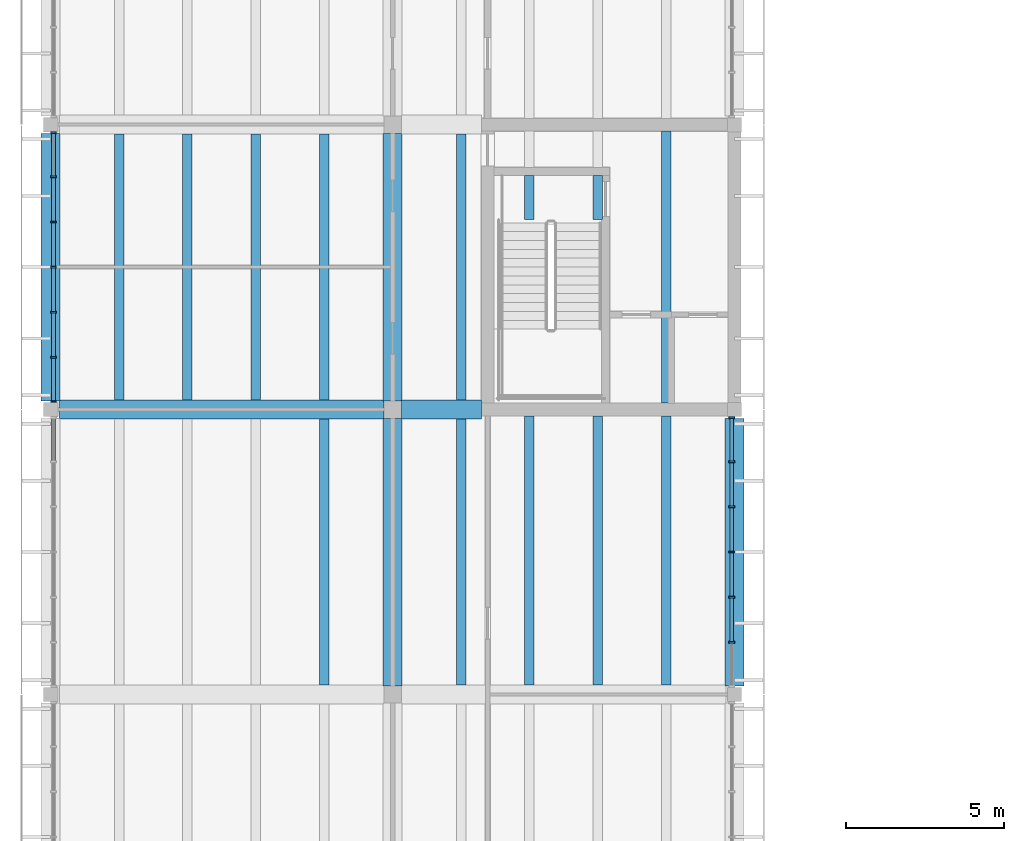
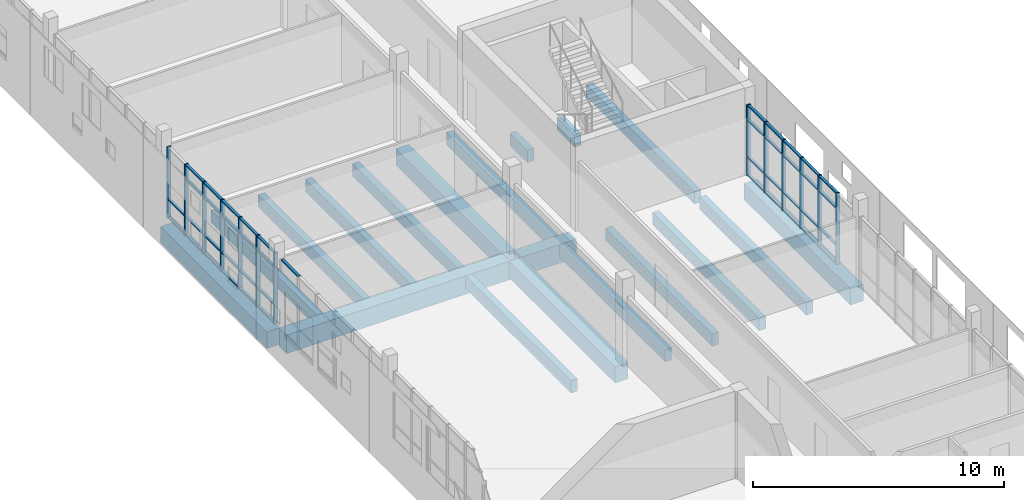
# One storey, part 11 of 50: 56 members, 19 beams, 3 elements without a shape of their own.
"""IFC4 building model written with IfcOpenShell, lengths in metres."""

import ifcopenshell
import ifcopenshell.guid

model = None  # the IFC model being written
_history = None  # IfcOwnerHistory: only IFC2X3 demands one
_inside = {}  # id of a spatial element -> (the spatial element, [elements in it])
_under = {}  # id of a project, library or spatial element -> (it, [spatial elements below it])
_declared = {}  # id of a project -> (the project, [libraries it declares])
_typed = {}  # id of a type object -> (the type object, [elements of that type])
_made_of = {}  # id of a material, layer set ... -> (it, [elements and type objects made of it])


def new_model(schema):
    """Start an empty IFC model of exactly this schema.

    Asked for "IFC4X3", IfcOpenShell would pick the latest addendum, in which some entities
    have other attributes; the version numbers below select the first issue.
    IFC2X3 requires an IfcOwnerHistory on every rooted entity: one is made here for all.
    """
    global model, _history
    if schema == "IFC4X3":
        model = ifcopenshell.file(schema_version=(4, 3, 0, 0))
    else:
        model = ifcopenshell.file(schema=schema)
    _inside.clear()
    _under.clear()
    _declared.clear()
    _typed.clear()
    _made_of.clear()
    _history = None
    if model.schema == "IFC2X3":
        org = make("IfcOrganization", Name="unknown")
        user = make(
            "IfcPersonAndOrganization",
            ThePerson=make("IfcPerson", FamilyName="unknown"),
            TheOrganization=org,
        )
        app = make(
            "IfcApplication",
            ApplicationDeveloper=org,
            Version="unknown",
            ApplicationFullName="unknown",
            ApplicationIdentifier="unknown",
        )
        _history = make(
            "IfcOwnerHistory",
            OwningUser=user,
            OwningApplication=app,
            ChangeAction="ADDED",
            CreationDate=0,
        )
    return model


def make(cls, **values):
    """One entity of the class cls with the attributes given. An attribute that is None is left unset."""
    return model.create_entity(
        cls, **{name: value for name, value in values.items() if value is not None}
    )


def rooted(cls, **values):
    """An entity with a GlobalId (a new one), such as an element, a storey or a relation."""
    return make(cls, GlobalId=ifcopenshell.guid.new(), OwnerHistory=_history, **values)


def si_unit(unit_type, name, prefix=None):
    """IfcSIUnit, for example si_unit("LENGTHUNIT", "METRE", prefix="MILLI")."""
    return make("IfcSIUnit", UnitType=unit_type, Prefix=prefix, Name=name)


def assignment(units):
    """IfcUnitAssignment: the units of a project."""
    return None if units is None else make("IfcUnitAssignment", Units=units)


def point(xyz):
    """IfcCartesianPoint."""
    return None if xyz is None else make("IfcCartesianPoint", Coordinates=xyz)


def direction(xyz):
    """IfcDirection."""
    return None if xyz is None else make("IfcDirection", DirectionRatios=xyz)


def frame(location, z_axis=None, x_axis=None):
    """IfcAxis2Placement3D, a coordinate frame: its origin and axes. An axis left out is left unset."""
    return make(
        "IfcAxis2Placement3D",
        Location=point(location),
        Axis=direction(z_axis),
        RefDirection=direction(x_axis),
    )


def frame_2d(location, x_axis=None):
    """IfcAxis2Placement2D, a coordinate frame in the plane: its origin and x axis."""
    return make(
        "IfcAxis2Placement2D", Location=point(location), RefDirection=direction(x_axis)
    )


def origin():
    """The frame at (0, 0, 0) with its axes left unset."""
    return frame((0.0, 0.0, 0.0))


def origin_2d():
    """The frame at (0, 0) in the plane with its x axis left unset."""
    return frame_2d((0.0, 0.0))


def place(relative_to, where):
    """IfcLocalPlacement: puts the frame where relative to a parent placement (None: the world)."""
    return make(
        "IfcLocalPlacement", PlacementRelTo=relative_to, RelativePlacement=where
    )


def context(
    kind, dimensions, precision=None, world=None, true_north=None, identifier=None
):
    """IfcGeometricRepresentationContext, for example the 3D "Model" context."""
    return make(
        "IfcGeometricRepresentationContext",
        ContextIdentifier=identifier,
        ContextType=kind,
        CoordinateSpaceDimension=dimensions,
        Precision=precision,
        WorldCoordinateSystem=world,
        TrueNorth=true_north,
    )


def subcontext(parent, identifier, kind, view, scale=None):
    """IfcGeometricRepresentationSubContext, for example "Body" below "Model"."""
    return make(
        "IfcGeometricRepresentationSubContext",
        ContextIdentifier=identifier,
        ContextType=kind,
        ParentContext=parent,
        TargetScale=scale,
        TargetView=view,
    )


def project(units=None, contexts=None):
    """IfcProject with its units and contexts."""
    return rooted(
        "IfcProject",
        Name="project",
        RepresentationContexts=contexts,
        UnitsInContext=assignment(units),
    )


def spatial(cls, under=None, at=None, **own):
    """A site, building, storey or space (cls), placed at a placement, below another one or the project."""
    s = rooted(cls, ObjectPlacement=at, **own)
    if under is not None:
        _under.setdefault(under.id(), (under, []))[1].append(s)
    return s


def profile(cls, at=None, kind="AREA", **sizes):
    """A parametric profile (cls). Its sizes go by their IFC names, for example OverallWidth=200.0."""
    return make(cls, ProfileType=kind, Position=at, **sizes)


def rectangle(**sizes):
    """IfcRectangleProfileDef."""
    return profile("IfcRectangleProfileDef", **sizes)


def extrude(swept, where, along, depth):
    """IfcExtrudedAreaSolid: the profile swept, set in the frame where, extruded along a direction by depth."""
    return make(
        "IfcExtrudedAreaSolid",
        SweptArea=swept,
        Position=where,
        ExtrudedDirection=direction(along),
        Depth=depth,
    )


def shape(context_of_items, identifier, shape_type, items):
    """IfcShapeRepresentation: the items that make up one representation, for example the "Body"."""
    return make(
        "IfcShapeRepresentation",
        ContextOfItems=context_of_items,
        RepresentationIdentifier=identifier,
        RepresentationType=shape_type,
        Items=items,
    )


def material(Name=None, Category=None):
    """IfcMaterial."""
    return make("IfcMaterial", Name=Name, Category=Category)


def material_profile(
    of_material, cross_section, Name=None, Category=None, Priority=None
):
    """IfcMaterialProfile: a cross section and its material."""
    return make(
        "IfcMaterialProfile",
        Name=Name,
        Material=of_material,
        Profile=cross_section,
        Priority=Priority,
        Category=Category,
    )


def profile_set(profiles, Name=None, composite=None):
    """IfcMaterialProfileSet."""
    return make(
        "IfcMaterialProfileSet",
        Name=Name,
        MaterialProfiles=profiles,
        CompositeProfile=composite,
    )


def made_of(thing, what):
    """Note that an element or type object is made of a material, layer set ...; save() writes the relation."""
    if what is not None:
        _made_of.setdefault(what.id(), (what, []))[1].append(thing)
    return thing


def type_object(cls, material=None, **own):
    """A type object (cls), such as IfcWallType, which elements share."""
    return made_of(rooted(cls, **own), material)


def element(
    cls,
    number,
    at=None,
    inside=None,
    cuts=None,
    type_object=None,
    material=None,
    context=None,
    identifier="Body",
    shape_type=None,
    held_by="IfcProductDefinitionShape",
    body=None,
    shapes=None,
    **own,
):
    """One element of the class cls, such as IfcWall. Its Tag is "e" and its number.

    at: its placement. inside: the storey or other place that contains it. cuts: it is an
    opening in that element (IfcRelVoidsElement). A single representation is given by context,
    identifier, shape_type and body (its items); several are given by shapes. held_by: the class
    of the entity that holds the representations. save() writes the other relations.
    """
    e = rooted(cls, Tag="e%d" % number, ObjectPlacement=at, **own)
    if body is not None:
        shapes = [shape(context, identifier, shape_type, body)]
    if shapes is not None:
        e.Representation = make(held_by, Representations=shapes)
    if inside is not None:
        _inside.setdefault(inside.id(), (inside, []))[1].append(e)
    if cuts is not None:
        rooted(
            "IfcRelVoidsElement", RelatingBuildingElement=cuts, RelatedOpeningElement=e
        )
    if type_object is not None:
        _typed.setdefault(type_object.id(), (type_object, []))[1].append(e)
    return made_of(e, material)


def aggregate(whole, parts):
    """IfcRelAggregates: a whole, such as a stair, and the parts it consists of."""
    return rooted("IfcRelAggregates", RelatingObject=whole, RelatedObjects=parts)


def save(model, path):
    """Write the relations noted so far, then the file.

    IfcRelAggregates (storeys below a building ...), IfcRelContainedInSpatialStructure (elements
    in a storey), IfcRelDefinesByType, IfcRelAssociatesMaterial and IfcRelDeclares: one each for
    every whole, place, type object, material and project.
    """
    for whole, parts in _under.values():
        aggregate(whole, parts)
    for where, things in _inside.values():
        rooted(
            "IfcRelContainedInSpatialStructure",
            RelatedElements=things,
            RelatingStructure=where,
        )
    for kind, things in _typed.values():
        rooted("IfcRelDefinesByType", RelatedObjects=things, RelatingType=kind)
    for what, things in _made_of.values():
        rooted("IfcRelAssociatesMaterial", RelatedObjects=things, RelatingMaterial=what)
    for by, libraries in _declared.values():
        rooted("IfcRelDeclares", RelatingContext=by, RelatedDefinitions=libraries)
    model.write(path)


model = new_model("IFC4")

# Units and contexts
model_context = context("Model", 3, precision=1e-05, world=origin(), true_north=direction((0.0, 1.0)))
body_context = subcontext(model_context, "Body", "Model", "MODEL_VIEW")
ifc_project = project(units=[si_unit("LENGTHUNIT", "METRE"), si_unit("AREAUNIT", "SQUARE_METRE"), si_unit("VOLUMEUNIT", "CUBIC_METRE"), si_unit("PLANEANGLEUNIT", "RADIAN"), si_unit("MASSUNIT", "GRAM", prefix="KILO")], contexts=[model_context])

# Site, building, storey
site_placement = place(None, origin())
site = spatial("IfcSite", under=ifc_project, at=site_placement, CompositionType="ELEMENT")
building_placement = place(site_placement, origin())
building = spatial("IfcBuilding", under=site, at=building_placement, Name="Merrow Basin Faculty of Sciences", CompositionType="ELEMENT")
storey_placement = place(building_placement, frame((0.0, 0.0, 18.0)))
storey = spatial("IfcBuildingStorey", under=building, at=storey_placement, Name="L04", CompositionType="ELEMENT", Elevation=18.0)

# Curtain wall, members
ifc_material_1 = material(Name="Aluminium alloy 6063", Category="aluminium")
curtain_wall_type = type_object("IfcCurtainWallType", Name="Bar unitised curtain wall 180", PredefinedType="NOTDEFINED", material=ifc_material_1)
curtain_wall_1_placement = place(storey_placement, origin())
curtain_wall_1 = element("IfcCurtainWall", 1, at=curtain_wall_1_placement, inside=storey, type_object=curtain_wall_type, Name="West curtain wall L04 3", PredefinedType="NOTDEFINED")
ifc_material_2 = material(Name="Aluminium alloy 6063", Category="aluminium")
ifc_material_profile_1 = material_profile(ifc_material_2, rectangle(XDim=0.179931640625, YDim=0.06005859375, at=origin_2d()))
ifc_profile_set_1 = profile_set([ifc_material_profile_1], Name="Aluminium alloy 6063")
member_type_1 = type_object("IfcMemberType", Name="Aluminium mullion 60x180", PredefinedType="MULLION", material=ifc_profile_set_1)
member_1_placement = place(storey_placement, frame((0.090087890625, 88.2548828125, 0.0), z_axis=(0.0, 0.0, 1.0), x_axis=(-1.0, 0.0, 0.0)))
member_1 = element("IfcMember", 2, at=member_1_placement, type_object=member_type_1, Name="CW1 mullion 1", PredefinedType="MULLION", context=body_context, shape_type="SweptSolid", body=[
    extrude(rectangle(XDim=0.179931640625, YDim=0.06005859375, at=origin_2d()), origin(), (0.0, 0.0, 1.0), 3.449951171875),
])
member_2_placement = place(storey_placement, frame((0.090087890625, 89.64990234375, 0.0), z_axis=(0.0, 0.0, 1.0), x_axis=(-1.0, 0.0, 0.0)))
member_2 = element("IfcMember", 3, at=member_2_placement, type_object=member_type_1, Name="CW1 mullion 2", PredefinedType="MULLION", context=body_context, shape_type="SweptSolid", body=[
    extrude(rectangle(XDim=0.179931640625, YDim=0.06005859375, at=origin_2d()), origin(), (0.0, 0.0, 1.0), 3.449951171875),
])
member_3_placement = place(storey_placement, frame((0.090087890625, 91.074951171875, 0.0), z_axis=(0.0, 0.0, 1.0), x_axis=(-1.0, 0.0, 0.0)))
member_3 = element("IfcMember", 4, at=member_3_placement, type_object=member_type_1, Name="CW1 mullion 3", PredefinedType="MULLION", context=body_context, shape_type="SweptSolid", body=[
    extrude(rectangle(XDim=0.179931640625, YDim=0.06005859375, at=origin_2d()), origin(), (0.0, 0.0, 1.0), 3.449951171875),
])
member_4_placement = place(storey_placement, frame((0.090087890625, 92.5, 0.0), z_axis=(0.0, 0.0, 1.0), x_axis=(-1.0, 0.0, 0.0)))
member_4 = element("IfcMember", 5, at=member_4_placement, type_object=member_type_1, Name="CW1 mullion 4", PredefinedType="MULLION", context=body_context, shape_type="SweptSolid", body=[
    extrude(rectangle(XDim=0.179931640625, YDim=0.06005859375, at=origin_2d()), origin(), (0.0, 0.0, 1.0), 3.449951171875),
])
member_5_placement = place(storey_placement, frame((0.090087890625, 93.925048828125, 0.0), z_axis=(0.0, 0.0, 1.0), x_axis=(-1.0, 0.0, 0.0)))
member_5 = element("IfcMember", 6, at=member_5_placement, type_object=member_type_1, Name="CW1 mullion 5", PredefinedType="MULLION", context=body_context, shape_type="SweptSolid", body=[
    extrude(rectangle(XDim=0.179931640625, YDim=0.06005859375, at=origin_2d()), origin(), (0.0, 0.0, 1.0), 3.449951171875),
])
member_6_placement = place(storey_placement, frame((0.090087890625, 95.35009765625, 0.0), z_axis=(0.0, 0.0, 1.0), x_axis=(-1.0, 0.0, 0.0)))
member_6 = element("IfcMember", 7, at=member_6_placement, type_object=member_type_1, Name="CW1 mullion 6", PredefinedType="MULLION", context=body_context, shape_type="SweptSolid", body=[
    extrude(rectangle(XDim=0.179931640625, YDim=0.06005859375, at=origin_2d()), origin(), (0.0, 0.0, 1.0), 3.449951171875),
])
member_7_placement = place(storey_placement, frame((0.090087890625, 96.7451171875, 0.0), z_axis=(0.0, 0.0, 1.0), x_axis=(-1.0, 0.0, 0.0)))
member_7 = element("IfcMember", 8, at=member_7_placement, type_object=member_type_1, Name="CW1 mullion 7", PredefinedType="MULLION", context=body_context, shape_type="SweptSolid", body=[
    extrude(rectangle(XDim=0.179931640625, YDim=0.06005859375, at=origin_2d()), origin(), (0.0, 0.0, 1.0), 3.449951171875),
])

curtain_wall_2_placement = place(storey_placement, origin())
curtain_wall_2 = element("IfcCurtainWall", 9, at=curtain_wall_2_placement, inside=storey, type_object=curtain_wall_type, Name="East curtain wall L04 3", PredefinedType="NOTDEFINED")
member_8_placement = place(storey_placement, frame((21.510009765625, 80.64990234375, 0.0), z_axis=(0.0, 0.0, 1.0), x_axis=(-1.0, 0.0, 0.0)))
member_8 = element("IfcMember", 10, at=member_8_placement, type_object=member_type_1, Name="CW1 mullion 2", PredefinedType="MULLION", context=body_context, shape_type="SweptSolid", body=[
    extrude(rectangle(XDim=0.179931640625, YDim=0.06005859375, at=origin_2d()), origin(), (0.0, 0.0, 1.0), 3.449951171875),
])
member_9_placement = place(storey_placement, frame((21.510009765625, 82.074951171875, 0.0), z_axis=(0.0, 0.0, 1.0), x_axis=(-1.0, 0.0, 0.0)))
member_9 = element("IfcMember", 11, at=member_9_placement, type_object=member_type_1, Name="CW1 mullion 3", PredefinedType="MULLION", context=body_context, shape_type="SweptSolid", body=[
    extrude(rectangle(XDim=0.179931640625, YDim=0.06005859375, at=origin_2d()), origin(), (0.0, 0.0, 1.0), 3.449951171875),
])
member_10_placement = place(storey_placement, frame((21.510009765625, 83.5, 0.0), z_axis=(0.0, 0.0, 1.0), x_axis=(-1.0, 0.0, 0.0)))
member_10 = element("IfcMember", 12, at=member_10_placement, type_object=member_type_1, Name="CW1 mullion 4", PredefinedType="MULLION", context=body_context, shape_type="SweptSolid", body=[
    extrude(rectangle(XDim=0.179931640625, YDim=0.06005859375, at=origin_2d()), origin(), (0.0, 0.0, 1.0), 3.449951171875),
])
member_11_placement = place(storey_placement, frame((21.510009765625, 84.925048828125, 0.0), z_axis=(0.0, 0.0, 1.0), x_axis=(-1.0, 0.0, 0.0)))
member_11 = element("IfcMember", 13, at=member_11_placement, type_object=member_type_1, Name="CW1 mullion 5", PredefinedType="MULLION", context=body_context, shape_type="SweptSolid", body=[
    extrude(rectangle(XDim=0.179931640625, YDim=0.06005859375, at=origin_2d()), origin(), (0.0, 0.0, 1.0), 3.449951171875),
])
member_12_placement = place(storey_placement, frame((21.510009765625, 86.35009765625, 0.0), z_axis=(0.0, 0.0, 1.0), x_axis=(-1.0, 0.0, 0.0)))
member_12 = element("IfcMember", 14, at=member_12_placement, type_object=member_type_1, Name="CW1 mullion 6", PredefinedType="MULLION", context=body_context, shape_type="SweptSolid", body=[
    extrude(rectangle(XDim=0.179931640625, YDim=0.06005859375, at=origin_2d()), origin(), (0.0, 0.0, 1.0), 3.449951171875),
])
member_13_placement = place(storey_placement, frame((21.510009765625, 87.7451171875, 0.0), z_axis=(0.0, 0.0, 1.0), x_axis=(-1.0, 0.0, 0.0)))
member_13 = element("IfcMember", 15, at=member_13_placement, type_object=member_type_1, Name="CW1 mullion 7", PredefinedType="MULLION", context=body_context, shape_type="SweptSolid", body=[
    extrude(rectangle(XDim=0.179931640625, YDim=0.06005859375, at=origin_2d()), origin(), (0.0, 0.0, 1.0), 3.449951171875),
])

# Curtain wall, member
curtain_wall_3_placement = place(storey_placement, origin())
curtain_wall_3 = element("IfcCurtainWall", 16, at=curtain_wall_3_placement, inside=storey, type_object=curtain_wall_type, Name="West curtain wall L04 2", PredefinedType="NOTDEFINED")
ifc_material_3 = material(Name="Aluminium alloy 6063", Category="aluminium")
ifc_material_profile_2 = material_profile(ifc_material_3, rectangle(XDim=0.1201171875, YDim=0.06005859375, at=origin_2d()))
ifc_profile_set_2 = profile_set([ifc_material_profile_2], Name="Aluminium alloy 6063")
member_type_2 = type_object("IfcMemberType", Name="Aluminium transom 60x120", PredefinedType="USERDEFINED", material=ifc_profile_set_2)
member_14_placement = place(storey_placement, frame((0.090087890625, 86.3798828125, 3.419921875), z_axis=(0.0, 1.0, 0.0), x_axis=(-1.0, 0.0, 0.0)))
member_14 = element("IfcMember", 17, at=member_14_placement, type_object=member_type_2, Name="CW1 transom 6.4", ObjectType="TRANSOM", PredefinedType="USERDEFINED", context=body_context, shape_type="SweptSolid", body=[
    extrude(rectangle(XDim=0.1201171875, YDim=0.06005859375, at=origin_2d()), origin(), (0.0, 0.0, 1.0), 1.335205078125),
])
aggregate(curtain_wall_3, [member_14])

# Member
member_15_placement = place(storey_placement, frame((0.090087890625, 88.284912109375, 0.030029296875), z_axis=(0.0, 1.0, 0.0), x_axis=(-1.0, 0.0, 0.0)))
member_15 = element("IfcMember", 18, at=member_15_placement, type_object=member_type_2, Name="CW1 transom 1.1", ObjectType="TRANSOM", PredefinedType="USERDEFINED", context=body_context, shape_type="SweptSolid", body=[
    extrude(rectangle(XDim=0.1201171875, YDim=0.06005859375, at=origin_2d()), origin(), (0.0, 0.0, 1.0), 1.335205078125),
])

member_16_placement = place(storey_placement, frame((0.090087890625, 88.284912109375, 0.89990234375), z_axis=(0.0, 1.0, 0.0), x_axis=(-1.0, 0.0, 0.0)))
member_16 = element("IfcMember", 19, at=member_16_placement, type_object=member_type_2, Name="CW1 transom 1.2", ObjectType="TRANSOM", PredefinedType="USERDEFINED", context=body_context, shape_type="SweptSolid", body=[
    extrude(rectangle(XDim=0.1201171875, YDim=0.06005859375, at=origin_2d()), origin(), (0.0, 0.0, 1.0), 1.335205078125),
])

member_17_placement = place(storey_placement, frame((0.090087890625, 88.284912109375, 2.699951171875), z_axis=(0.0, 1.0, 0.0), x_axis=(-1.0, 0.0, 0.0)))
member_17 = element("IfcMember", 20, at=member_17_placement, type_object=member_type_2, Name="CW1 transom 1.3", ObjectType="TRANSOM", PredefinedType="USERDEFINED", context=body_context, shape_type="SweptSolid", body=[
    extrude(rectangle(XDim=0.1201171875, YDim=0.06005859375, at=origin_2d()), origin(), (0.0, 0.0, 1.0), 1.335205078125),
])

member_18_placement = place(storey_placement, frame((0.090087890625, 88.284912109375, 3.419921875), z_axis=(0.0, 1.0, 0.0), x_axis=(-1.0, 0.0, 0.0)))
member_18 = element("IfcMember", 21, at=member_18_placement, type_object=member_type_2, Name="CW1 transom 1.4", ObjectType="TRANSOM", PredefinedType="USERDEFINED", context=body_context, shape_type="SweptSolid", body=[
    extrude(rectangle(XDim=0.1201171875, YDim=0.06005859375, at=origin_2d()), origin(), (0.0, 0.0, 1.0), 1.335205078125),
])

member_19_placement = place(storey_placement, frame((0.090087890625, 89.679931640625, 0.030029296875), z_axis=(0.0, 1.0, 0.0), x_axis=(-1.0, 0.0, 0.0)))
member_19 = element("IfcMember", 22, at=member_19_placement, type_object=member_type_2, Name="CW1 transom 2.1", ObjectType="TRANSOM", PredefinedType="USERDEFINED", context=body_context, shape_type="SweptSolid", body=[
    extrude(rectangle(XDim=0.1201171875, YDim=0.06005859375, at=origin_2d()), origin(), (0.0, 0.0, 1.0), 1.364990234375),
])

member_20_placement = place(storey_placement, frame((0.090087890625, 89.679931640625, 0.89990234375), z_axis=(0.0, 1.0, 0.0), x_axis=(-1.0, 0.0, 0.0)))
member_20 = element("IfcMember", 23, at=member_20_placement, type_object=member_type_2, Name="CW1 transom 2.2", ObjectType="TRANSOM", PredefinedType="USERDEFINED", context=body_context, shape_type="SweptSolid", body=[
    extrude(rectangle(XDim=0.1201171875, YDim=0.06005859375, at=origin_2d()), origin(), (0.0, 0.0, 1.0), 1.364990234375),
])

member_21_placement = place(storey_placement, frame((0.090087890625, 89.679931640625, 2.699951171875), z_axis=(0.0, 1.0, 0.0), x_axis=(-1.0, 0.0, 0.0)))
member_21 = element("IfcMember", 24, at=member_21_placement, type_object=member_type_2, Name="CW1 transom 2.3", ObjectType="TRANSOM", PredefinedType="USERDEFINED", context=body_context, shape_type="SweptSolid", body=[
    extrude(rectangle(XDim=0.1201171875, YDim=0.06005859375, at=origin_2d()), origin(), (0.0, 0.0, 1.0), 1.364990234375),
])

member_22_placement = place(storey_placement, frame((0.090087890625, 89.679931640625, 3.419921875), z_axis=(0.0, 1.0, 0.0), x_axis=(-1.0, 0.0, 0.0)))
member_22 = element("IfcMember", 25, at=member_22_placement, type_object=member_type_2, Name="CW1 transom 2.4", ObjectType="TRANSOM", PredefinedType="USERDEFINED", context=body_context, shape_type="SweptSolid", body=[
    extrude(rectangle(XDim=0.1201171875, YDim=0.06005859375, at=origin_2d()), origin(), (0.0, 0.0, 1.0), 1.364990234375),
])

member_23_placement = place(storey_placement, frame((0.090087890625, 91.10498046875, 0.030029296875), z_axis=(0.0, 1.0, 0.0), x_axis=(-1.0, 0.0, 0.0)))
member_23 = element("IfcMember", 26, at=member_23_placement, type_object=member_type_2, Name="CW1 transom 3.1", ObjectType="TRANSOM", PredefinedType="USERDEFINED", context=body_context, shape_type="SweptSolid", body=[
    extrude(rectangle(XDim=0.1201171875, YDim=0.06005859375, at=origin_2d()), origin(), (0.0, 0.0, 1.0), 1.364990234375),
])

member_24_placement = place(storey_placement, frame((0.090087890625, 91.10498046875, 0.89990234375), z_axis=(0.0, 1.0, 0.0), x_axis=(-1.0, 0.0, 0.0)))
member_24 = element("IfcMember", 27, at=member_24_placement, type_object=member_type_2, Name="CW1 transom 3.2", ObjectType="TRANSOM", PredefinedType="USERDEFINED", context=body_context, shape_type="SweptSolid", body=[
    extrude(rectangle(XDim=0.1201171875, YDim=0.06005859375, at=origin_2d()), origin(), (0.0, 0.0, 1.0), 1.364990234375),
])

member_25_placement = place(storey_placement, frame((0.090087890625, 91.10498046875, 2.699951171875), z_axis=(0.0, 1.0, 0.0), x_axis=(-1.0, 0.0, 0.0)))
member_25 = element("IfcMember", 28, at=member_25_placement, type_object=member_type_2, Name="CW1 transom 3.3", ObjectType="TRANSOM", PredefinedType="USERDEFINED", context=body_context, shape_type="SweptSolid", body=[
    extrude(rectangle(XDim=0.1201171875, YDim=0.06005859375, at=origin_2d()), origin(), (0.0, 0.0, 1.0), 1.364990234375),
])

member_26_placement = place(storey_placement, frame((0.090087890625, 91.10498046875, 3.419921875), z_axis=(0.0, 1.0, 0.0), x_axis=(-1.0, 0.0, 0.0)))
member_26 = element("IfcMember", 29, at=member_26_placement, type_object=member_type_2, Name="CW1 transom 3.4", ObjectType="TRANSOM", PredefinedType="USERDEFINED", context=body_context, shape_type="SweptSolid", body=[
    extrude(rectangle(XDim=0.1201171875, YDim=0.06005859375, at=origin_2d()), origin(), (0.0, 0.0, 1.0), 1.364990234375),
])

member_27_placement = place(storey_placement, frame((0.090087890625, 92.530029296875, 0.030029296875), z_axis=(0.0, 1.0, 0.0), x_axis=(-1.0, 0.0, 0.0)))
member_27 = element("IfcMember", 30, at=member_27_placement, type_object=member_type_2, Name="CW1 transom 4.1", ObjectType="TRANSOM", PredefinedType="USERDEFINED", context=body_context, shape_type="SweptSolid", body=[
    extrude(rectangle(XDim=0.1201171875, YDim=0.06005859375, at=origin_2d()), origin(), (0.0, 0.0, 1.0), 1.364990234375),
])

member_28_placement = place(storey_placement, frame((0.090087890625, 92.530029296875, 0.89990234375), z_axis=(0.0, 1.0, 0.0), x_axis=(-1.0, 0.0, 0.0)))
member_28 = element("IfcMember", 31, at=member_28_placement, type_object=member_type_2, Name="CW1 transom 4.2", ObjectType="TRANSOM", PredefinedType="USERDEFINED", context=body_context, shape_type="SweptSolid", body=[
    extrude(rectangle(XDim=0.1201171875, YDim=0.06005859375, at=origin_2d()), origin(), (0.0, 0.0, 1.0), 1.364990234375),
])

member_29_placement = place(storey_placement, frame((0.090087890625, 92.530029296875, 2.699951171875), z_axis=(0.0, 1.0, 0.0), x_axis=(-1.0, 0.0, 0.0)))
member_29 = element("IfcMember", 32, at=member_29_placement, type_object=member_type_2, Name="CW1 transom 4.3", ObjectType="TRANSOM", PredefinedType="USERDEFINED", context=body_context, shape_type="SweptSolid", body=[
    extrude(rectangle(XDim=0.1201171875, YDim=0.06005859375, at=origin_2d()), origin(), (0.0, 0.0, 1.0), 1.364990234375),
])

member_30_placement = place(storey_placement, frame((0.090087890625, 92.530029296875, 3.419921875), z_axis=(0.0, 1.0, 0.0), x_axis=(-1.0, 0.0, 0.0)))
member_30 = element("IfcMember", 33, at=member_30_placement, type_object=member_type_2, Name="CW1 transom 4.4", ObjectType="TRANSOM", PredefinedType="USERDEFINED", context=body_context, shape_type="SweptSolid", body=[
    extrude(rectangle(XDim=0.1201171875, YDim=0.06005859375, at=origin_2d()), origin(), (0.0, 0.0, 1.0), 1.364990234375),
])

member_31_placement = place(storey_placement, frame((0.090087890625, 93.955078125, 0.030029296875), z_axis=(0.0, 1.0, 0.0), x_axis=(-1.0, 0.0, 0.0)))
member_31 = element("IfcMember", 34, at=member_31_placement, type_object=member_type_2, Name="CW1 transom 5.1", ObjectType="TRANSOM", PredefinedType="USERDEFINED", context=body_context, shape_type="SweptSolid", body=[
    extrude(rectangle(XDim=0.1201171875, YDim=0.06005859375, at=origin_2d()), origin(), (0.0, 0.0, 1.0), 1.364990234375),
])

member_32_placement = place(storey_placement, frame((0.090087890625, 93.955078125, 0.89990234375), z_axis=(0.0, 1.0, 0.0), x_axis=(-1.0, 0.0, 0.0)))
member_32 = element("IfcMember", 35, at=member_32_placement, type_object=member_type_2, Name="CW1 transom 5.2", ObjectType="TRANSOM", PredefinedType="USERDEFINED", context=body_context, shape_type="SweptSolid", body=[
    extrude(rectangle(XDim=0.1201171875, YDim=0.06005859375, at=origin_2d()), origin(), (0.0, 0.0, 1.0), 1.364990234375),
])

member_33_placement = place(storey_placement, frame((0.090087890625, 93.955078125, 2.699951171875), z_axis=(0.0, 1.0, 0.0), x_axis=(-1.0, 0.0, 0.0)))
member_33 = element("IfcMember", 36, at=member_33_placement, type_object=member_type_2, Name="CW1 transom 5.3", ObjectType="TRANSOM", PredefinedType="USERDEFINED", context=body_context, shape_type="SweptSolid", body=[
    extrude(rectangle(XDim=0.1201171875, YDim=0.06005859375, at=origin_2d()), origin(), (0.0, 0.0, 1.0), 1.364990234375),
])

member_34_placement = place(storey_placement, frame((0.090087890625, 93.955078125, 3.419921875), z_axis=(0.0, 1.0, 0.0), x_axis=(-1.0, 0.0, 0.0)))
member_34 = element("IfcMember", 37, at=member_34_placement, type_object=member_type_2, Name="CW1 transom 5.4", ObjectType="TRANSOM", PredefinedType="USERDEFINED", context=body_context, shape_type="SweptSolid", body=[
    extrude(rectangle(XDim=0.1201171875, YDim=0.06005859375, at=origin_2d()), origin(), (0.0, 0.0, 1.0), 1.364990234375),
])

member_35_placement = place(storey_placement, frame((0.090087890625, 95.3798828125, 0.030029296875), z_axis=(0.0, 1.0, 0.0), x_axis=(-1.0, 0.0, 0.0)))
member_35 = element("IfcMember", 38, at=member_35_placement, type_object=member_type_2, Name="CW1 transom 6.1", ObjectType="TRANSOM", PredefinedType="USERDEFINED", context=body_context, shape_type="SweptSolid", body=[
    extrude(rectangle(XDim=0.1201171875, YDim=0.06005859375, at=origin_2d()), origin(), (0.0, 0.0, 1.0), 1.335205078125),
])

member_36_placement = place(storey_placement, frame((0.090087890625, 95.3798828125, 0.89990234375), z_axis=(0.0, 1.0, 0.0), x_axis=(-1.0, 0.0, 0.0)))
member_36 = element("IfcMember", 39, at=member_36_placement, type_object=member_type_2, Name="CW1 transom 6.2", ObjectType="TRANSOM", PredefinedType="USERDEFINED", context=body_context, shape_type="SweptSolid", body=[
    extrude(rectangle(XDim=0.1201171875, YDim=0.06005859375, at=origin_2d()), origin(), (0.0, 0.0, 1.0), 1.335205078125),
])

aggregate(curtain_wall_1, [member_1, member_2, member_3, member_4, member_5, member_6, member_7, member_15, member_16, member_17, member_18, member_19, member_20, member_21, member_22, member_23, member_24, member_25, member_26, member_27, member_28, member_29, member_30, member_31, member_32, member_33, member_34, member_35, member_36])

member_37_placement = place(storey_placement, frame((21.510009765625, 80.679931640625, 0.030029296875), z_axis=(0.0, 1.0, 0.0), x_axis=(-1.0, 0.0, 0.0)))
member_37 = element("IfcMember", 40, at=member_37_placement, type_object=member_type_2, Name="CW1 transom 2.1", ObjectType="TRANSOM", PredefinedType="USERDEFINED", context=body_context, shape_type="SweptSolid", body=[
    extrude(rectangle(XDim=0.1201171875, YDim=0.06005859375, at=origin_2d()), origin(), (0.0, 0.0, 1.0), 1.364990234375),
])

member_38_placement = place(storey_placement, frame((21.510009765625, 80.679931640625, 0.89990234375), z_axis=(0.0, 1.0, 0.0), x_axis=(-1.0, 0.0, 0.0)))
member_38 = element("IfcMember", 41, at=member_38_placement, type_object=member_type_2, Name="CW1 transom 2.2", ObjectType="TRANSOM", PredefinedType="USERDEFINED", context=body_context, shape_type="SweptSolid", body=[
    extrude(rectangle(XDim=0.1201171875, YDim=0.06005859375, at=origin_2d()), origin(), (0.0, 0.0, 1.0), 1.364990234375),
])

member_39_placement = place(storey_placement, frame((21.510009765625, 80.679931640625, 2.699951171875), z_axis=(0.0, 1.0, 0.0), x_axis=(-1.0, 0.0, 0.0)))
member_39 = element("IfcMember", 42, at=member_39_placement, type_object=member_type_2, Name="CW1 transom 2.3", ObjectType="TRANSOM", PredefinedType="USERDEFINED", context=body_context, shape_type="SweptSolid", body=[
    extrude(rectangle(XDim=0.1201171875, YDim=0.06005859375, at=origin_2d()), origin(), (0.0, 0.0, 1.0), 1.364990234375),
])

member_40_placement = place(storey_placement, frame((21.510009765625, 80.679931640625, 3.419921875), z_axis=(0.0, 1.0, 0.0), x_axis=(-1.0, 0.0, 0.0)))
member_40 = element("IfcMember", 43, at=member_40_placement, type_object=member_type_2, Name="CW1 transom 2.4", ObjectType="TRANSOM", PredefinedType="USERDEFINED", context=body_context, shape_type="SweptSolid", body=[
    extrude(rectangle(XDim=0.1201171875, YDim=0.06005859375, at=origin_2d()), origin(), (0.0, 0.0, 1.0), 1.364990234375),
])

member_41_placement = place(storey_placement, frame((21.510009765625, 82.10498046875, 0.030029296875), z_axis=(0.0, 1.0, 0.0), x_axis=(-1.0, 0.0, 0.0)))
member_41 = element("IfcMember", 44, at=member_41_placement, type_object=member_type_2, Name="CW1 transom 3.1", ObjectType="TRANSOM", PredefinedType="USERDEFINED", context=body_context, shape_type="SweptSolid", body=[
    extrude(rectangle(XDim=0.1201171875, YDim=0.06005859375, at=origin_2d()), origin(), (0.0, 0.0, 1.0), 1.364990234375),
])

member_42_placement = place(storey_placement, frame((21.510009765625, 82.10498046875, 0.89990234375), z_axis=(0.0, 1.0, 0.0), x_axis=(-1.0, 0.0, 0.0)))
member_42 = element("IfcMember", 45, at=member_42_placement, type_object=member_type_2, Name="CW1 transom 3.2", ObjectType="TRANSOM", PredefinedType="USERDEFINED", context=body_context, shape_type="SweptSolid", body=[
    extrude(rectangle(XDim=0.1201171875, YDim=0.06005859375, at=origin_2d()), origin(), (0.0, 0.0, 1.0), 1.364990234375),
])

member_43_placement = place(storey_placement, frame((21.510009765625, 82.10498046875, 2.699951171875), z_axis=(0.0, 1.0, 0.0), x_axis=(-1.0, 0.0, 0.0)))
member_43 = element("IfcMember", 46, at=member_43_placement, type_object=member_type_2, Name="CW1 transom 3.3", ObjectType="TRANSOM", PredefinedType="USERDEFINED", context=body_context, shape_type="SweptSolid", body=[
    extrude(rectangle(XDim=0.1201171875, YDim=0.06005859375, at=origin_2d()), origin(), (0.0, 0.0, 1.0), 1.364990234375),
])

member_44_placement = place(storey_placement, frame((21.510009765625, 82.10498046875, 3.419921875), z_axis=(0.0, 1.0, 0.0), x_axis=(-1.0, 0.0, 0.0)))
member_44 = element("IfcMember", 47, at=member_44_placement, type_object=member_type_2, Name="CW1 transom 3.4", ObjectType="TRANSOM", PredefinedType="USERDEFINED", context=body_context, shape_type="SweptSolid", body=[
    extrude(rectangle(XDim=0.1201171875, YDim=0.06005859375, at=origin_2d()), origin(), (0.0, 0.0, 1.0), 1.364990234375),
])

member_45_placement = place(storey_placement, frame((21.510009765625, 83.530029296875, 0.030029296875), z_axis=(0.0, 1.0, 0.0), x_axis=(-1.0, 0.0, 0.0)))
member_45 = element("IfcMember", 48, at=member_45_placement, type_object=member_type_2, Name="CW1 transom 4.1", ObjectType="TRANSOM", PredefinedType="USERDEFINED", context=body_context, shape_type="SweptSolid", body=[
    extrude(rectangle(XDim=0.1201171875, YDim=0.06005859375, at=origin_2d()), origin(), (0.0, 0.0, 1.0), 1.364990234375),
])

member_46_placement = place(storey_placement, frame((21.510009765625, 83.530029296875, 0.89990234375), z_axis=(0.0, 1.0, 0.0), x_axis=(-1.0, 0.0, 0.0)))
member_46 = element("IfcMember", 49, at=member_46_placement, type_object=member_type_2, Name="CW1 transom 4.2", ObjectType="TRANSOM", PredefinedType="USERDEFINED", context=body_context, shape_type="SweptSolid", body=[
    extrude(rectangle(XDim=0.1201171875, YDim=0.06005859375, at=origin_2d()), origin(), (0.0, 0.0, 1.0), 1.364990234375),
])

member_47_placement = place(storey_placement, frame((21.510009765625, 83.530029296875, 2.699951171875), z_axis=(0.0, 1.0, 0.0), x_axis=(-1.0, 0.0, 0.0)))
member_47 = element("IfcMember", 50, at=member_47_placement, type_object=member_type_2, Name="CW1 transom 4.3", ObjectType="TRANSOM", PredefinedType="USERDEFINED", context=body_context, shape_type="SweptSolid", body=[
    extrude(rectangle(XDim=0.1201171875, YDim=0.06005859375, at=origin_2d()), origin(), (0.0, 0.0, 1.0), 1.364990234375),
])

member_48_placement = place(storey_placement, frame((21.510009765625, 83.530029296875, 3.419921875), z_axis=(0.0, 1.0, 0.0), x_axis=(-1.0, 0.0, 0.0)))
member_48 = element("IfcMember", 51, at=member_48_placement, type_object=member_type_2, Name="CW1 transom 4.4", ObjectType="TRANSOM", PredefinedType="USERDEFINED", context=body_context, shape_type="SweptSolid", body=[
    extrude(rectangle(XDim=0.1201171875, YDim=0.06005859375, at=origin_2d()), origin(), (0.0, 0.0, 1.0), 1.364990234375),
])

member_49_placement = place(storey_placement, frame((21.510009765625, 84.955078125, 0.030029296875), z_axis=(0.0, 1.0, 0.0), x_axis=(-1.0, 0.0, 0.0)))
member_49 = element("IfcMember", 52, at=member_49_placement, type_object=member_type_2, Name="CW1 transom 5.1", ObjectType="TRANSOM", PredefinedType="USERDEFINED", context=body_context, shape_type="SweptSolid", body=[
    extrude(rectangle(XDim=0.1201171875, YDim=0.06005859375, at=origin_2d()), origin(), (0.0, 0.0, 1.0), 1.364990234375),
])

member_50_placement = place(storey_placement, frame((21.510009765625, 84.955078125, 0.89990234375), z_axis=(0.0, 1.0, 0.0), x_axis=(-1.0, 0.0, 0.0)))
member_50 = element("IfcMember", 53, at=member_50_placement, type_object=member_type_2, Name="CW1 transom 5.2", ObjectType="TRANSOM", PredefinedType="USERDEFINED", context=body_context, shape_type="SweptSolid", body=[
    extrude(rectangle(XDim=0.1201171875, YDim=0.06005859375, at=origin_2d()), origin(), (0.0, 0.0, 1.0), 1.364990234375),
])

member_51_placement = place(storey_placement, frame((21.510009765625, 84.955078125, 2.699951171875), z_axis=(0.0, 1.0, 0.0), x_axis=(-1.0, 0.0, 0.0)))
member_51 = element("IfcMember", 54, at=member_51_placement, type_object=member_type_2, Name="CW1 transom 5.3", ObjectType="TRANSOM", PredefinedType="USERDEFINED", context=body_context, shape_type="SweptSolid", body=[
    extrude(rectangle(XDim=0.1201171875, YDim=0.06005859375, at=origin_2d()), origin(), (0.0, 0.0, 1.0), 1.364990234375),
])

member_52_placement = place(storey_placement, frame((21.510009765625, 84.955078125, 3.419921875), z_axis=(0.0, 1.0, 0.0), x_axis=(-1.0, 0.0, 0.0)))
member_52 = element("IfcMember", 55, at=member_52_placement, type_object=member_type_2, Name="CW1 transom 5.4", ObjectType="TRANSOM", PredefinedType="USERDEFINED", context=body_context, shape_type="SweptSolid", body=[
    extrude(rectangle(XDim=0.1201171875, YDim=0.06005859375, at=origin_2d()), origin(), (0.0, 0.0, 1.0), 1.364990234375),
])

member_53_placement = place(storey_placement, frame((21.510009765625, 86.3798828125, 0.030029296875), z_axis=(0.0, 1.0, 0.0), x_axis=(-1.0, 0.0, 0.0)))
member_53 = element("IfcMember", 56, at=member_53_placement, type_object=member_type_2, Name="CW1 transom 6.1", ObjectType="TRANSOM", PredefinedType="USERDEFINED", context=body_context, shape_type="SweptSolid", body=[
    extrude(rectangle(XDim=0.1201171875, YDim=0.06005859375, at=origin_2d()), origin(), (0.0, 0.0, 1.0), 1.335205078125),
])

member_54_placement = place(storey_placement, frame((21.510009765625, 86.3798828125, 0.89990234375), z_axis=(0.0, 1.0, 0.0), x_axis=(-1.0, 0.0, 0.0)))
member_54 = element("IfcMember", 57, at=member_54_placement, type_object=member_type_2, Name="CW1 transom 6.2", ObjectType="TRANSOM", PredefinedType="USERDEFINED", context=body_context, shape_type="SweptSolid", body=[
    extrude(rectangle(XDim=0.1201171875, YDim=0.06005859375, at=origin_2d()), origin(), (0.0, 0.0, 1.0), 1.335205078125),
])

member_55_placement = place(storey_placement, frame((21.510009765625, 86.3798828125, 2.699951171875), z_axis=(0.0, 1.0, 0.0), x_axis=(-1.0, 0.0, 0.0)))
member_55 = element("IfcMember", 58, at=member_55_placement, type_object=member_type_2, Name="CW1 transom 6.3", ObjectType="TRANSOM", PredefinedType="USERDEFINED", context=body_context, shape_type="SweptSolid", body=[
    extrude(rectangle(XDim=0.1201171875, YDim=0.06005859375, at=origin_2d()), origin(), (0.0, 0.0, 1.0), 1.335205078125),
])

member_56_placement = place(storey_placement, frame((21.510009765625, 86.3798828125, 3.419921875), z_axis=(0.0, 1.0, 0.0), x_axis=(-1.0, 0.0, 0.0)))
member_56 = element("IfcMember", 59, at=member_56_placement, type_object=member_type_2, Name="CW1 transom 6.4", ObjectType="TRANSOM", PredefinedType="USERDEFINED", context=body_context, shape_type="SweptSolid", body=[
    extrude(rectangle(XDim=0.1201171875, YDim=0.06005859375, at=origin_2d()), origin(), (0.0, 0.0, 1.0), 1.335205078125),
])

aggregate(curtain_wall_2, [member_8, member_9, member_10, member_11, member_12, member_13, member_37, member_38, member_39, member_40, member_41, member_42, member_43, member_44, member_45, member_46, member_47, member_48, member_49, member_50, member_51, member_52, member_53, member_54, member_55, member_56])

# Beams
ifc_material_4 = material(Name="Concrete C40/50", Category="concrete")
ifc_material_profile_3 = material_profile(ifc_material_4, rectangle(XDim=0.60009765625, YDim=0.800048828125, at=origin_2d()))
ifc_profile_set_3 = profile_set([ifc_material_profile_3], Name="Concrete C40/50")
beam_type_1 = type_object("IfcBeamType", Name="Beam RC600x800 C40/50", PredefinedType="BEAM", material=ifc_profile_set_3)
for number, where, z_axis, x_axis, name in (
    (60, (0.0, 88.27490234375, -0.699951171875), (0.0, 1.0, 0.0), (-1.0, 0.0, 0.0), "B2 L04 017"),
    (61, (10.800048828125, 79.27490234375, -0.699951171875), (0.0, 1.0, 0.0), (-1.0, 0.0, 0.0), "B2 L04 023"),
    (62, (10.800048828125, 88.27490234375, -0.699951171875), (0.0, 1.0, 0.0), (-1.0, 0.0, 0.0), "B2 L04 024"),
    (63, (21.60009765625, 79.27490234375, -0.699951171875), (0.0, 1.0, 0.0), (-1.0, 0.0, 0.0), "B2 L04 030"),
):
    element("IfcBeam", number, at=place(storey_placement, frame(where, z_axis=z_axis, x_axis=x_axis)), inside=storey, type_object=beam_type_1, Name=name, PredefinedType="BEAM", context=body_context, shape_type="SweptSolid", body=[
        extrude(rectangle(XDim=0.60009765625, YDim=0.800048828125, at=origin_2d()), origin(), (0.0, 0.0, 1.0), 8.4501953125),
    ])
ifc_material_5 = material(Name="Concrete C40/50", Category="concrete")
ifc_material_profile_4 = material_profile(ifc_material_5, rectangle(XDim=0.60009765625, YDim=0.89990234375, at=origin_2d()))
ifc_profile_set_4 = profile_set([ifc_material_profile_4], Name="Concrete C40/50")
beam_type_2 = type_object("IfcBeamType", Name="Beam RC600x900 C40/50", PredefinedType="BEAM", material=ifc_profile_set_4)
beam_1_placement = place(storey_placement, frame((0.27490234375, 88.0, -0.75), z_axis=(1.0, 0.0, 0.0), x_axis=(0.0, 1.0, 0.0)))
element("IfcBeam", 64, at=beam_1_placement, inside=storey, type_object=beam_type_2, Name="B1 L04 005", PredefinedType="BEAM", context=body_context, shape_type="SweptSolid", body=[
    extrude(rectangle(XDim=0.60009765625, YDim=0.89990234375, at=origin_2d()), origin(), (0.0, 0.0, 1.0), 10.25),
])
beam_2_placement = place(storey_placement, frame((11.074951171875, 88.0, -0.75), z_axis=(1.0, 0.0, 0.0), x_axis=(0.0, 1.0, 0.0)))
element("IfcBeam", 65, at=beam_2_placement, inside=storey, type_object=beam_type_2, Name="B1 L04 006", PredefinedType="BEAM", context=body_context, shape_type="SweptSolid", body=[
    extrude(rectangle(XDim=0.60009765625, YDim=0.89990234375, at=origin_2d()), origin(), (0.0, 0.0, 1.0), 2.525146484375),
])
ifc_material_6 = material(Name="Concrete C40/50", Category="concrete")
ifc_material_profile_5 = material_profile(ifc_material_6, rectangle(XDim=0.300048828125, YDim=0.60009765625, at=origin_2d()))
ifc_profile_set_5 = profile_set([ifc_material_profile_5], Name="Concrete C40/50")
beam_type_3 = type_object("IfcBeamType", Name="Laboratory floor joist RC300x600 C40/50", PredefinedType="BEAM", material=ifc_profile_set_5)
for number, where, z_axis, x_axis, name in (
    (66, (8.639892578125, 79.300048828125, -0.60009765625), (0.0, 1.0, 0.0), (-1.0, 0.0, 0.0), "JL1 L04 046"),
    (67, (2.159912109375, 88.300048828125, -0.60009765625), (0.0, 1.0, 0.0), (-1.0, 0.0, 0.0), "JL1 L04 047"),
    (68, (4.320068359375, 88.300048828125, -0.60009765625), (0.0, 1.0, 0.0), (-1.0, 0.0, 0.0), "JL1 L04 048"),
    (69, (6.47998046875, 88.300048828125, -0.60009765625), (0.0, 1.0, 0.0), (-1.0, 0.0, 0.0), "JL1 L04 049"),
    (70, (8.639892578125, 88.300048828125, -0.60009765625), (0.0, 1.0, 0.0), (-1.0, 0.0, 0.0), "JL1 L04 050"),
    (71, (12.9599609375, 79.300048828125, -0.60009765625), (0.0, 1.0, 0.0), (-1.0, 0.0, 0.0), "JL1 L04 075"),
):
    element("IfcBeam", number, at=place(storey_placement, frame(where, z_axis=z_axis, x_axis=x_axis)), inside=storey, type_object=beam_type_3, Name=name, PredefinedType="BEAM", context=body_context, shape_type="SweptSolid", body=[
        extrude(rectangle(XDim=0.300048828125, YDim=0.60009765625, at=origin_2d()), origin(), (0.0, 0.0, 1.0), 8.39990234375),
    ])
for number, where, z_axis, x_axis, name in (
    (72, (15.1201171875, 79.300048828125, -0.60009765625), (0.0, 1.0, 0.0), (-1.0, 0.0, 0.0), "JL1 L04 076"),
    (73, (17.280029296875, 79.300048828125, -0.60009765625), (0.0, 1.0, 0.0), (-1.0, 0.0, 0.0), "JL1 L04 077"),
    (74, (19.43994140625, 79.300048828125, -0.60009765625), (0.0, 1.0, 0.0), (-1.0, 0.0, 0.0), "JL1 L04 078"),
):
    element("IfcBeam", number, at=place(storey_placement, frame(where, z_axis=z_axis, x_axis=x_axis)), inside=storey, type_object=beam_type_3, Name=name, PredefinedType="BEAM", context=body_context, shape_type="SweptSolid", body=[
        extrude(rectangle(XDim=0.300048828125, YDim=0.60009765625, at=origin_2d()), origin(), (0.0, 0.0, 1.0), 8.5),
    ])
beam_3_placement = place(storey_placement, frame((12.9599609375, 88.300048828125, -0.60009765625), z_axis=(0.0, 1.0, 0.0), x_axis=(-1.0, 0.0, 0.0)))
element("IfcBeam", 75, at=beam_3_placement, inside=storey, type_object=beam_type_3, Name="JL1 L04 079", PredefinedType="BEAM", context=body_context, shape_type="SweptSolid", body=[
    extrude(rectangle(XDim=0.300048828125, YDim=0.60009765625, at=origin_2d()), origin(), (0.0, 0.0, 1.0), 8.39990234375),
])
for number, where, z_axis, x_axis, name in (
    (76, (15.1201171875, 94.0, -0.60009765625), (0.0, 1.0, 0.0), (-1.0, 0.0, 0.0), "JL1 L04 080"),
    (77, (17.280029296875, 94.0, -0.60009765625), (0.0, 1.0, 0.0), (-1.0, 0.0, 0.0), "JL1 L04 082"),
):
    element("IfcBeam", number, at=place(storey_placement, frame(where, z_axis=z_axis, x_axis=x_axis)), inside=storey, type_object=beam_type_3, Name=name, PredefinedType="BEAM", context=body_context, shape_type="SweptSolid", body=[
        extrude(rectangle(XDim=0.300048828125, YDim=0.60009765625, at=origin_2d()), origin(), (0.0, 0.0, 1.0), 1.39990234375),
    ])
beam_4_placement = place(storey_placement, frame((19.43994140625, 88.199951171875, -0.60009765625), z_axis=(0.0, 1.0, 0.0), x_axis=(-1.0, 0.0, 0.0)))
element("IfcBeam", 78, at=beam_4_placement, inside=storey, type_object=beam_type_3, Name="JL1 L04 084", PredefinedType="BEAM", context=body_context, shape_type="SweptSolid", body=[
    extrude(rectangle(XDim=0.300048828125, YDim=0.60009765625, at=origin_2d()), origin(), (0.0, 0.0, 1.0), 8.60009765625),
])

save(model, "model.ifc")
